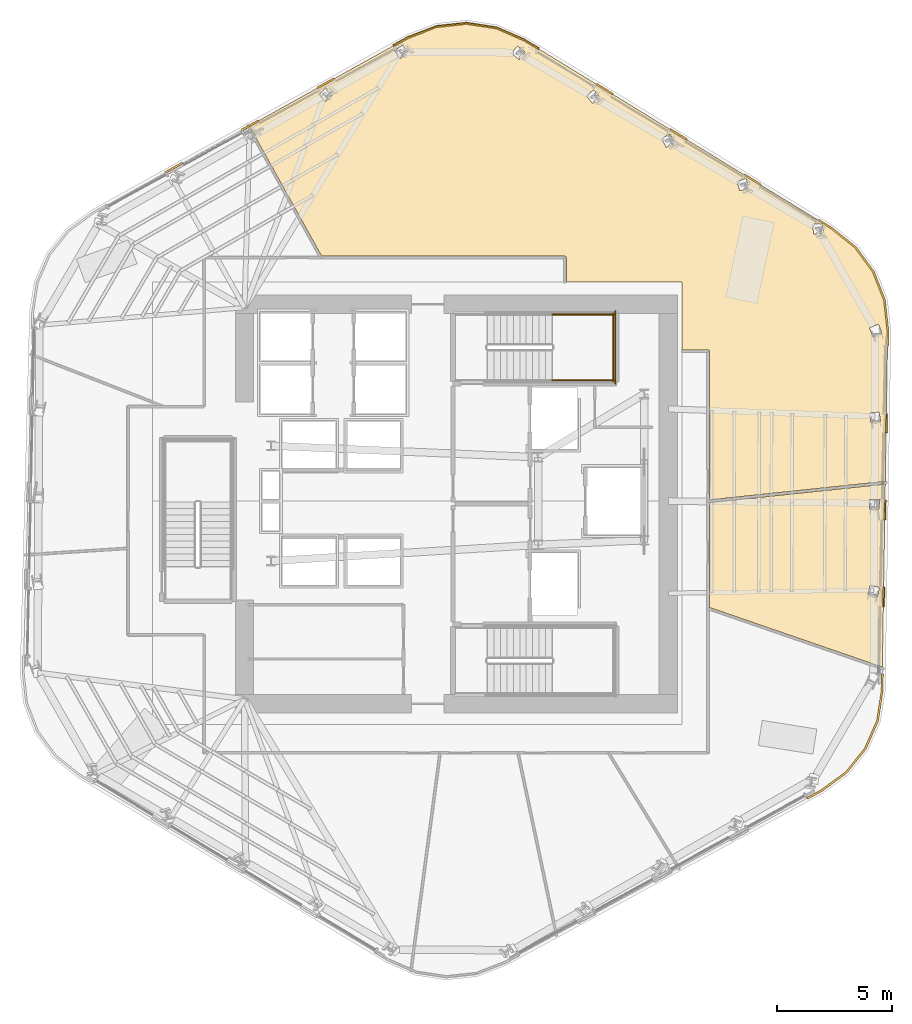
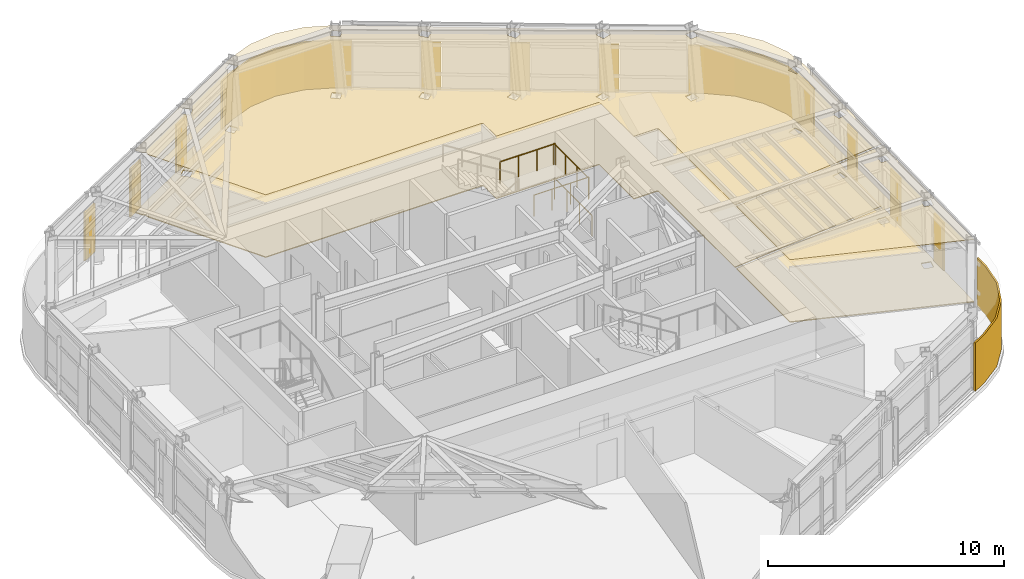
# One storey, part 13 of 14: 16 coverings, 4 railings.
"""IFC4 building model written with IfcOpenShell, lengths in metres."""

from ifc_helpers import new_model, si_unit, direction, frame, origin, origin_2d, place, context, subcontext, project, spatial, polyline, circle, outline, extrude, material, layer, layer_set, type_object, element, save


model = new_model("IFC4")

# Units and contexts
model_context = context("Model", 3, precision=1e-05, world=origin(), true_north=direction((0.0, 1.0)))
body_context = subcontext(model_context, "Body", "Model", "MODEL_VIEW")
ifc_project = project(units=[si_unit("LENGTHUNIT", "METRE"), si_unit("AREAUNIT", "SQUARE_METRE"), si_unit("VOLUMEUNIT", "CUBIC_METRE"), si_unit("PLANEANGLEUNIT", "RADIAN"), si_unit("MASSUNIT", "GRAM", prefix="KILO")], contexts=[model_context])

# Site, building, storey
site_placement = place(None, origin())
site = spatial("IfcSite", under=ifc_project, at=site_placement, CompositionType="ELEMENT")
building_placement = place(site_placement, origin())
building = spatial("IfcBuilding", under=site, at=building_placement, Name="Valkerne Bourse Tower", CompositionType="ELEMENT")
storey_placement = place(building_placement, frame((0.0, 0.0, 147.60009765625)))
storey = spatial("IfcBuildingStorey", under=building, at=storey_placement, Name="L37", CompositionType="ELEMENT", Elevation=147.60009765625)

# Coverings
ifc_material_1 = material(Name="Mineral Fiber Acoustic Ceiling Tile", Category="acoustic")
ifc_layer_1 = layer(ifc_material_1, 0.02490234375)
ifc_layer_set_1 = layer_set([ifc_layer_1], Name="Mineral Fiber Acoustic Ceiling Tile")
covering_type_1 = type_object("IfcCoveringType", Name="COV-CEIL-ACT", PredefinedType="CEILING", material=ifc_layer_set_1)
covering_1_placement = place(storey_placement, frame((0.0, 0.0, 3.22998046875)))
element("IfcCovering", 1, at=covering_1_placement, inside=storey, type_object=covering_type_1, Name="L37 Suspended Ceiling 07", PredefinedType="CEILING", context=body_context, shape_type="SweptSolid", body=[
    extrude(outline(polyline([(57.7890625, 26.933349609375), (65.416015625, 27.7353515625), (65.290771484375, 19.79150390625), (57.7890625, 22.379150390625), (57.7890625, 26.933349609375)]), holes=[polyline([(65.16943359375, 23.24462890625), (64.757080078125, 23.34521484375), (64.6591796875, 22.943603515625), (64.65869140625, 22.94091796875), (65.0712890625, 22.840576171875), (65.1689453125, 23.2421875), (65.16943359375, 23.24462890625)]), polyline([(65.16162109375, 27.0615234375), (65.16162109375, 27.064208984375), (64.7373046875, 27.07861328125), (64.723388671875, 26.665771484375), (64.72314453125, 26.6630859375), (65.147705078125, 26.648681640625), (65.16162109375, 27.0615234375)])]), origin(), (0.0, 0.0, 1.0), 0.02490234375),
])
covering_2_placement = place(storey_placement, frame((0.0, 0.0, 3.22998046875)))
element("IfcCovering", 2, at=covering_2_placement, inside=storey, type_object=covering_type_1, Name="L37 Suspended Ceiling 11", PredefinedType="CEILING", context=body_context, shape_type="SweptSolid", body=[
    extrude(outline(polyline([(47.234619140625, 47.739013671875), (48.538818359375, 47.539306640625), (49.75537109375, 47.00537109375), (63.0771484375, 38.843017578125), (64.11474609375, 38.011962890625), (64.89599609375, 36.9482421875), (65.37548828125, 35.718994140625), (65.521240234375, 34.3974609375), (65.41796875, 27.854248046875), (57.7890625, 27.052001953125), (57.788330078125, 33.510009765625), (57.76611328125, 33.551513671875), (57.723388671875, 33.56884765625), (56.60009765625, 33.569091796875), (56.60009765625, 36.5), (51.569091796875, 36.5), (51.56884765625, 37.564697265625), (51.547119140625, 37.61083984375), (51.50439453125, 37.62890625), (40.94970703125, 37.62890625), (38.08935546875, 42.776611328125), (38.135498046875, 42.8505859375), (38.001708984375, 42.934326171875), (37.807373046875, 43.2841796875), (44.684814453125, 47.111572265625), (45.9228515625, 47.59423828125), (47.234619140625, 47.739013671875)]), holes=[polyline([(53.033447265625, 44.52294921875), (52.7626953125, 44.848876953125), (52.760009765625, 44.849609375), (52.4423828125, 44.584228515625), (52.712890625, 44.25830078125), (52.715576171875, 44.257568359375), (53.033447265625, 44.52294921875)]), polyline([(41.423583984375, 44.6513671875), (41.12451171875, 44.93798828125), (41.1220703125, 44.93701171875), (40.82958984375, 44.63037109375), (41.128662109375, 44.343994140625), (41.13134765625, 44.3447265625), (41.423583984375, 44.6513671875)]), polyline([(49.455322265625, 46.758056640625), (49.452392578125, 46.758544921875), (49.190185546875, 46.43798828125), (49.517333984375, 46.1689453125), (49.52001953125, 46.16845703125), (49.7822265625, 46.489013671875), (49.455322265625, 46.758056640625)]), polyline([(44.7001953125, 46.456298828125), (44.460205078125, 46.793701171875), (44.45751953125, 46.79345703125), (44.11279296875, 46.547119140625), (44.352783203125, 46.209716796875), (44.355712890625, 46.2099609375), (44.7001953125, 46.456298828125)]), polyline([(65.21533203125, 30.4658203125), (65.14501953125, 30.872802734375), (65.14453125, 30.87548828125), (64.726318359375, 30.80322265625), (64.79638671875, 30.396240234375), (64.796875, 30.3935546875), (65.21533203125, 30.4658203125)]), polyline([(65.27099609375, 34.285400390625), (65.125732421875, 34.672119140625), (65.12451171875, 34.6748046875), (64.727294921875, 34.525146484375), (64.87255859375, 34.138671875), (64.873779296875, 34.135986328125), (65.27099609375, 34.285400390625)]), polyline([(62.718994140625, 38.631591796875), (62.67919921875, 39.053466796875), (62.677490234375, 39.0556640625), (62.265380859375, 39.015625), (62.30517578125, 38.593994140625), (62.306884765625, 38.591796875), (62.718994140625, 38.631591796875)]), polyline([(59.381103515625, 40.99462890625), (59.379150390625, 40.996337890625), (58.98193359375, 40.87939453125), (59.100341796875, 40.472900390625), (59.102294921875, 40.470947265625), (59.49951171875, 40.587890625), (59.381103515625, 40.99462890625)]), polyline([(56.2724609375, 42.553466796875), (56.07373046875, 42.927734375), (56.0712890625, 42.928955078125), (55.706298828125, 42.73388671875), (55.905029296875, 42.359619140625), (55.9072265625, 42.3583984375), (56.2724609375, 42.553466796875)])]), origin(), (0.0, 0.0, 1.0), 0.02490234375),
])
ifc_material_2 = material(Name="Bronze Anodised Aluminium AA 6063-T6", Category="aluminium")
ifc_layer_2 = layer(ifc_material_2, 0.06005859375)
ifc_layer_set_2 = layer_set([ifc_layer_2], Name="Bronze Anodised Aluminium AA 6063-T6")
covering_type_2 = type_object("IfcCoveringType", Name="COV-CRN-ALUM", PredefinedType="CLADDING", material=ifc_layer_set_2)
covering_3_placement = place(storey_placement, origin())
element("IfcCovering", 3, at=covering_3_placement, inside=storey, type_object=covering_type_2, Name="L37 Wind-Shaped Corner Aluminium Cladding 01", PredefinedType="CLADDING", context=body_context, shape_type="SweptSolid", body=[
    extrude(outline(polyline([(65.1162109375, 17.4501953125), (64.581298828125, 16.231201171875), (63.7490234375, 15.1923828125), (62.671142578125, 14.400634765625), (62.041748046875, 14.058837890625), (62.003173828125, 14.12890625), (62.628173828125, 14.46826171875), (63.693115234375, 15.25048828125), (64.51220703125, 16.273193359375), (65.038818359375, 17.47265625), (65.23876953125, 18.77880859375), (65.25, 19.489990234375), (65.329833984375, 19.48828125), (65.318603515625, 18.772216796875), (65.1162109375, 17.4501953125)])), origin(), (0.0, 0.0, 1.0), 2.5),
])
covering_4_placement = place(storey_placement, origin())
element("IfcCovering", 4, at=covering_4_placement, inside=storey, type_object=covering_type_2, Name="L37 Wind-Shaped Corner Aluminium Cladding 14", PredefinedType="CLADDING", context=body_context, shape_type="SweptSolid", body=[
    extrude(outline(polyline([(34.888916015625, 41.71044921875), (34.927490234375, 41.640380859375), (34.193359375, 41.23193359375), (34.15478515625, 41.302001953125), (34.888916015625, 41.71044921875)])), origin(), (0.0, 0.0, 1.0), 2.5),
])
covering_5_placement = place(storey_placement, origin())
element("IfcCovering", 5, at=covering_5_placement, inside=storey, type_object=covering_type_2, Name="L37 Wind-Shaped Corner Aluminium Cladding 15", PredefinedType="CLADDING", context=body_context, shape_type="SweptSolid", body=[
    extrude(outline(polyline([(38.18408203125, 43.544189453125), (38.22265625, 43.47412109375), (37.488525390625, 43.065673828125), (37.449951171875, 43.1357421875), (38.18408203125, 43.544189453125)])), origin(), (0.0, 0.0, 1.0), 2.5),
])
covering_6_placement = place(storey_placement, origin())
element("IfcCovering", 6, at=covering_6_placement, inside=storey, type_object=covering_type_2, Name="L37 Wind-Shaped Corner Aluminium Cladding 16", PredefinedType="CLADDING", context=body_context, shape_type="SweptSolid", body=[
    extrude(outline(polyline([(41.479248046875, 45.3779296875), (41.517578125, 45.307861328125), (40.78369140625, 44.8994140625), (40.7451171875, 44.969482421875), (41.479248046875, 45.3779296875)])), origin(), (0.0, 0.0, 1.0), 2.5),
])
covering_7_placement = place(storey_placement, origin())
element("IfcCovering", 7, at=covering_7_placement, inside=storey, type_object=covering_type_2, Name="L37 Wind-Shaped Corner Aluminium Cladding 17", PredefinedType="CLADDING", context=body_context, shape_type="SweptSolid", body=[
    extrude(outline(polyline([(44.666015625, 47.151611328125), (45.912353515625, 47.63720703125), (47.2353515625, 47.783447265625), (48.55126953125, 47.58203125), (49.77587890625, 47.04443359375), (50.386474609375, 46.67041015625), (50.344970703125, 46.601806640625), (49.73876953125, 46.973388671875), (48.528564453125, 47.504638671875), (47.233642578125, 47.702880859375), (45.931396484375, 47.55908203125), (44.7001953125, 47.0791015625), (44.078857421875, 46.733154296875), (44.040283203125, 46.80322265625), (44.666015625, 47.151611328125)])), origin(), (0.0, 0.0, 1.0), 2.5),
])
covering_8_placement = place(storey_placement, origin())
element("IfcCovering", 8, at=covering_8_placement, inside=storey, type_object=covering_type_2, Name="L37 Wind-Shaped Corner Aluminium Cladding 18", PredefinedType="CLADDING", context=body_context, shape_type="SweptSolid", body=[
    extrude(outline(polyline([(53.60205078125, 44.7001953125), (53.560546875, 44.6318359375), (52.84423828125, 45.070556640625), (52.8857421875, 45.13916015625), (53.60205078125, 44.7001953125)])), origin(), (0.0, 0.0, 1.0), 2.5),
])
covering_9_placement = place(storey_placement, origin())
element("IfcCovering", 9, at=covering_9_placement, inside=storey, type_object=covering_type_2, Name="L37 Wind-Shaped Corner Aluminium Cladding 19", PredefinedType="CLADDING", context=body_context, shape_type="SweptSolid", body=[
    extrude(outline(polyline([(56.8173828125, 42.72998046875), (56.77587890625, 42.66162109375), (56.059814453125, 43.1005859375), (56.101318359375, 43.1689453125), (56.8173828125, 42.72998046875)])), origin(), (0.0, 0.0, 1.0), 2.5),
])
covering_10_placement = place(storey_placement, origin())
element("IfcCovering", 10, at=covering_10_placement, inside=storey, type_object=covering_type_2, Name="L37 Wind-Shaped Corner Aluminium Cladding 20", PredefinedType="CLADDING", context=body_context, shape_type="SweptSolid", body=[
    extrude(outline(polyline([(60.032958984375, 40.760009765625), (59.99169921875, 40.69140625), (59.275390625, 41.13037109375), (59.316650390625, 41.19873046875), (60.032958984375, 40.760009765625)])), origin(), (0.0, 0.0, 1.0), 2.5),
])
covering_11_placement = place(storey_placement, origin())
element("IfcCovering", 11, at=covering_11_placement, inside=storey, type_object=covering_type_2, Name="L37 Wind-Shaped Corner Aluminium Cladding 21", PredefinedType="CLADDING", context=body_context, shape_type="SweptSolid", body=[
    extrude(outline(polyline([(63.1025390625, 38.879150390625), (64.146728515625, 38.04248046875), (64.934814453125, 36.9697265625), (65.41845703125, 35.7294921875), (65.565185546875, 34.399658203125), (65.5546875, 33.730712890625), (65.474853515625, 33.732421875), (65.485107421875, 34.395751953125), (65.340087890625, 35.710205078125), (64.8642578125, 36.930908203125), (64.088623046875, 37.98681640625), (63.056396484375, 38.8134765625), (62.49072265625, 39.16015625), (62.5322265625, 39.228515625), (63.1025390625, 38.879150390625)])), origin(), (0.0, 0.0, 1.0), 2.5),
])
covering_12_placement = place(storey_placement, origin())
element("IfcCovering", 12, at=covering_12_placement, inside=storey, type_object=covering_type_2, Name="L37 Wind-Shaped Corner Aluminium Cladding 22", PredefinedType="CLADDING", context=body_context, shape_type="SweptSolid", body=[
    extrude(outline(polyline([(65.4951171875, 29.960205078125), (65.415283203125, 29.9619140625), (65.428466796875, 30.8017578125), (65.508544921875, 30.800048828125), (65.4951171875, 29.960205078125)])), origin(), (0.0, 0.0, 1.0), 2.5),
])
covering_13_placement = place(storey_placement, origin())
element("IfcCovering", 13, at=covering_13_placement, inside=storey, type_object=covering_type_2, Name="L37 Wind-Shaped Corner Aluminium Cladding 23", PredefinedType="CLADDING", context=body_context, shape_type="SweptSolid", body=[
    extrude(outline(polyline([(65.435791015625, 26.189453125), (65.355712890625, 26.191162109375), (65.368896484375, 27.031005859375), (65.448974609375, 27.029296875), (65.435791015625, 26.189453125)])), origin(), (0.0, 0.0, 1.0), 2.5),
])
covering_14_placement = place(storey_placement, origin())
element("IfcCovering", 14, at=covering_14_placement, inside=storey, type_object=covering_type_2, Name="L37 Wind-Shaped Corner Aluminium Cladding 24", PredefinedType="CLADDING", context=body_context, shape_type="SweptSolid", body=[
    extrude(outline(polyline([(65.376220703125, 22.4189453125), (65.296142578125, 22.420654296875), (65.3095703125, 23.260498046875), (65.389404296875, 23.2587890625), (65.376220703125, 22.4189453125)])), origin(), (0.0, 0.0, 1.0), 2.5),
])
ifc_material_3 = material(Name="Galvanised Painted Steel", Category="steel")
ifc_layer_3 = layer(ifc_material_3, 0.044921875)
ifc_layer_set_3 = layer_set([ifc_layer_3], Name="Galvanised Painted Steel")
covering_type_3 = type_object("IfcCoveringType", Name="COV-FLR-RAF", PredefinedType="FLOORING", material=ifc_layer_set_3)
covering_15_placement = place(storey_placement, origin())
element("IfcCovering", 15, at=covering_15_placement, inside=storey, type_object=covering_type_3, Name="L37 Floor Finish 07", PredefinedType="FLOORING", context=body_context, shape_type="SweptSolid", body=[
    extrude(outline(polyline([(57.7890625, 26.933349609375), (65.416015625, 27.7353515625), (65.290771484375, 19.79150390625), (57.7890625, 22.379150390625), (57.7890625, 26.933349609375)]), holes=[polyline([(65.16943359375, 23.24462890625), (64.757080078125, 23.34521484375), (64.6591796875, 22.943603515625), (64.65869140625, 22.94091796875), (65.0712890625, 22.840576171875), (65.1689453125, 23.2421875), (65.16943359375, 23.24462890625)]), polyline([(65.16162109375, 27.0615234375), (65.16162109375, 27.064208984375), (64.7373046875, 27.07861328125), (64.723388671875, 26.665771484375), (64.72314453125, 26.6630859375), (65.147705078125, 26.648681640625), (65.16162109375, 27.0615234375)])]), origin(), (0.0, 0.0, 1.0), 0.044921875),
])
covering_16_placement = place(storey_placement, origin())
element("IfcCovering", 16, at=covering_16_placement, inside=storey, type_object=covering_type_3, Name="L37 Floor Finish 11", PredefinedType="FLOORING", context=body_context, shape_type="SweptSolid", body=[
    extrude(outline(polyline([(47.234619140625, 47.739013671875), (48.538818359375, 47.539306640625), (49.75537109375, 47.00537109375), (63.0771484375, 38.843017578125), (64.11474609375, 38.011962890625), (64.89599609375, 36.9482421875), (65.37548828125, 35.718994140625), (65.521240234375, 34.3974609375), (65.41796875, 27.854248046875), (57.7890625, 27.052001953125), (57.788330078125, 33.510009765625), (57.76611328125, 33.551513671875), (57.723388671875, 33.56884765625), (56.60009765625, 33.569091796875), (56.60009765625, 36.5), (51.569091796875, 36.5), (51.56884765625, 37.564697265625), (51.547119140625, 37.61083984375), (51.50439453125, 37.62890625), (40.94970703125, 37.62890625), (38.08935546875, 42.776611328125), (38.135498046875, 42.8505859375), (38.001708984375, 42.934326171875), (37.807373046875, 43.2841796875), (44.684814453125, 47.111572265625), (45.9228515625, 47.59423828125), (47.234619140625, 47.739013671875)]), holes=[polyline([(53.033447265625, 44.52294921875), (52.7626953125, 44.848876953125), (52.760009765625, 44.849609375), (52.4423828125, 44.584228515625), (52.712890625, 44.25830078125), (52.715576171875, 44.257568359375), (53.033447265625, 44.52294921875)]), polyline([(41.423583984375, 44.6513671875), (41.12451171875, 44.93798828125), (41.1220703125, 44.93701171875), (40.82958984375, 44.63037109375), (41.128662109375, 44.343994140625), (41.13134765625, 44.3447265625), (41.423583984375, 44.6513671875)]), polyline([(49.455322265625, 46.758056640625), (49.452392578125, 46.758544921875), (49.190185546875, 46.43798828125), (49.517333984375, 46.1689453125), (49.52001953125, 46.16845703125), (49.7822265625, 46.489013671875), (49.455322265625, 46.758056640625)]), polyline([(44.7001953125, 46.456298828125), (44.460205078125, 46.793701171875), (44.45751953125, 46.79345703125), (44.11279296875, 46.547119140625), (44.352783203125, 46.209716796875), (44.355712890625, 46.2099609375), (44.7001953125, 46.456298828125)]), polyline([(65.21533203125, 30.4658203125), (65.14501953125, 30.872802734375), (65.14453125, 30.87548828125), (64.726318359375, 30.80322265625), (64.79638671875, 30.396240234375), (64.796875, 30.3935546875), (65.21533203125, 30.4658203125)]), polyline([(65.27099609375, 34.285400390625), (65.125732421875, 34.672119140625), (65.12451171875, 34.6748046875), (64.727294921875, 34.525146484375), (64.87255859375, 34.138671875), (64.873779296875, 34.135986328125), (65.27099609375, 34.285400390625)]), polyline([(62.718994140625, 38.631591796875), (62.67919921875, 39.053466796875), (62.677490234375, 39.0556640625), (62.265380859375, 39.015625), (62.30517578125, 38.593994140625), (62.306884765625, 38.591796875), (62.718994140625, 38.631591796875)]), polyline([(59.381103515625, 40.99462890625), (59.379150390625, 40.996337890625), (58.98193359375, 40.87939453125), (59.100341796875, 40.472900390625), (59.102294921875, 40.470947265625), (59.49951171875, 40.587890625), (59.381103515625, 40.99462890625)]), polyline([(56.2724609375, 42.553466796875), (56.07373046875, 42.927734375), (56.0712890625, 42.928955078125), (55.706298828125, 42.73388671875), (55.905029296875, 42.359619140625), (55.9072265625, 42.3583984375), (56.2724609375, 42.553466796875)])]), origin(), (0.0, 0.0, 1.0), 0.044921875),
])

# Railings
railing_type = type_object("IfcRailingType", Name="RLG-ST-GUARD-1120", PredefinedType="GUARDRAIL", material=ifc_material_3)
for number, where, name in (
    (17, (50.949951171875, 32.25, 1.89990234375), "L37 ST-2 stair guard 3"),
    (18, (50.949951171875, 35.10009765625, 1.89990234375), "L37 ST-2 stair guard 4"),
):
    element("IfcRailing", number, at=place(storey_placement, frame(where)), inside=storey, type_object=railing_type, Name=name, PredefinedType="GUARDRAIL", context=body_context, shape_type="SweptSolid", body=[
        extrude(circle(Radius=0.02392578125, at=origin_2d()), frame((0.0, 0.0, 1.09619140625), z_axis=(1.0, 0.0, 0.0), x_axis=(0.0, 1.0, 0.0)), (0.0, 0.0, 1.0), 2.699951171875),
        extrude(circle(Radius=0.02099609375, at=origin_2d()), origin(), (0.0, 0.0, 1.0), 1.072021484375),
        extrude(circle(Radius=0.02099609375, at=origin_2d()), frame((0.89990234375, 0.0, 0.0)), (0.0, 0.0, 1.0), 1.072021484375),
        extrude(circle(Radius=0.02099609375, at=origin_2d()), frame((1.800048828125, 0.0, 0.0)), (0.0, 0.0, 1.0), 1.072021484375),
        extrude(circle(Radius=0.02099609375, at=origin_2d()), frame((2.699951171875, 0.0, 0.0)), (0.0, 0.0, 1.0), 1.072021484375),
    ])
railing_1_placement = place(storey_placement, frame((53.60009765625, 32.199951171875, 1.89990234375)))
element("IfcRailing", 19, at=railing_1_placement, inside=storey, type_object=railing_type, Name="L37 ST-2 stair guard 5", PredefinedType="GUARDRAIL", context=body_context, shape_type="SweptSolid", body=[
    extrude(circle(Radius=0.02392578125, at=origin_2d()), frame((0.0, 0.0, 1.09619140625), z_axis=(0.0, 1.0, 0.0), x_axis=(-1.0, 0.0, 0.0)), (0.0, 0.0, 1.0), 2.949951171875),
    extrude(circle(Radius=0.02099609375, at=origin_2d()), origin(), (0.0, 0.0, 1.0), 1.072021484375),
    extrude(circle(Radius=0.02099609375, at=origin_2d()), frame((0.0, 0.9833984375, 0.0)), (0.0, 0.0, 1.0), 1.072021484375),
    extrude(circle(Radius=0.02099609375, at=origin_2d()), frame((0.0, 1.966552734375, 0.0)), (0.0, 0.0, 1.0), 1.072021484375),
    extrude(circle(Radius=0.02099609375, at=origin_2d()), frame((0.0, 2.949951171875, 0.0)), (0.0, 0.0, 1.0), 1.072021484375),
])
railing_2_placement = place(storey_placement, frame((53.699951171875, 32.10009765625, 0.0)))
element("IfcRailing", 20, at=railing_2_placement, inside=storey, type_object=railing_type, Name="L37 ST-2 stair guard 12", PredefinedType="GUARDRAIL", context=body_context, shape_type="SweptSolid", body=[
    extrude(circle(Radius=0.02392578125, at=origin_2d()), frame((0.0, 0.0, 1.09619140625), z_axis=(0.0, 1.0, 0.0), x_axis=(-1.0, 0.0, 0.0)), (0.0, 0.0, 1.0), 3.14990234375),
    extrude(circle(Radius=0.02099609375, at=origin_2d()), origin(), (0.0, 0.0, 1.0), 1.072021484375),
    extrude(circle(Radius=0.02099609375, at=origin_2d()), frame((0.0, 1.050048828125, 0.0)), (0.0, 0.0, 1.0), 1.072021484375),
    extrude(circle(Radius=0.02099609375, at=origin_2d()), frame((0.0, 2.099853515625, 0.0)), (0.0, 0.0, 1.0), 1.072021484375),
    extrude(circle(Radius=0.02099609375, at=origin_2d()), frame((0.0, 3.14990234375, 0.0)), (0.0, 0.0, 1.0), 1.072021484375),
])

save(model, "model.ifc")
